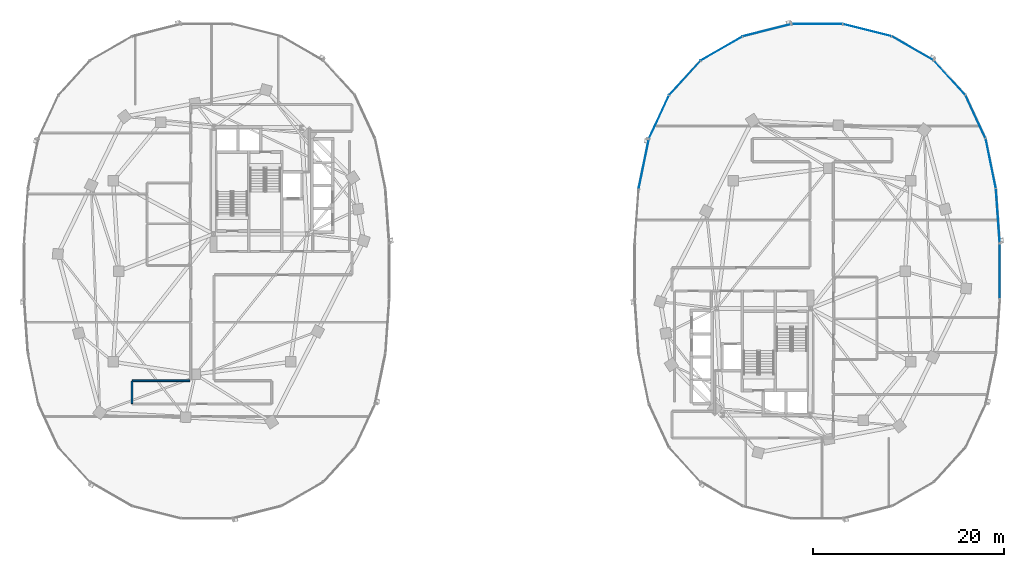
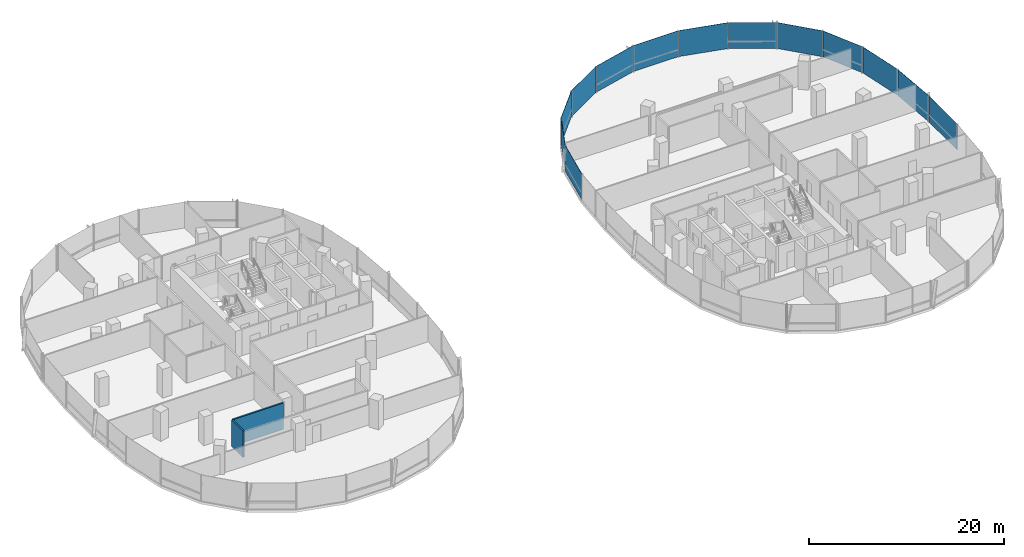
# One storey, part 10 of 21: 13 plates, 2 walls, 3 elements without a shape of their own.
"""IFC4 building model written with IfcOpenShell, lengths in metres."""

from ifc_helpers import new_model, si_unit, direction, frame, frame_2d, origin, origin_2d, place, context, subcontext, project, spatial, rectangle, extrude, material, layer, layer_set, type_object, element, aggregate, save


model = new_model("IFC4")

# Units and contexts
model_context = context("Model", 3, precision=1e-05, world=origin(), true_north=direction((0.0, 1.0)))
body_context = subcontext(model_context, "Body", "Model", "MODEL_VIEW")
ifc_project = project(units=[si_unit("LENGTHUNIT", "METRE"), si_unit("AREAUNIT", "SQUARE_METRE"), si_unit("VOLUMEUNIT", "CUBIC_METRE"), si_unit("PLANEANGLEUNIT", "RADIAN"), si_unit("MASSUNIT", "GRAM", prefix="KILO"), si_unit("THERMODYNAMICTEMPERATUREUNIT", "KELVIN"), si_unit("POWERUNIT", "WATT")], contexts=[model_context])

# Site, building, storey
site_placement = place(None, origin())
site = spatial("IfcSite", under=ifc_project, at=site_placement, CompositionType="ELEMENT")
building_placement = place(site_placement, origin())
building = spatial("IfcBuilding", under=site, at=building_placement, Name="Cundina Bronze Exchange", CompositionType="ELEMENT")
storey_placement = place(building_placement, frame((0.0, 0.0, 121.39990234375)))
storey = spatial("IfcBuildingStorey", under=building, at=storey_placement, Name="L31", CompositionType="ELEMENT", Elevation=121.39990234375)

# Curtain wall, plates
ifc_material_1 = material(Name="Anodised Bronze Aluminium 6063-T6", Category="aluminium")
curtain_wall_type = type_object("IfcCurtainWallType", Name="CWS-TRD-MID", PredefinedType="NOTDEFINED", material=ifc_material_1)
curtain_wall_1_placement = place(storey_placement, origin())
curtain_wall_1 = element("IfcCurtainWall", 1, at=curtain_wall_1_placement, inside=storey, type_object=curtain_wall_type, Name="L31 CW-03 Curtain Wall Run CWR-L31-E1", PredefinedType="NOTDEFINED")
ifc_material_2 = material(Name="Heat-Strengthened Solar-Control Bronze Safety Glass 28mm", Category="glass")
ifc_layer_1 = layer(ifc_material_2, 0.028076171875, Name="Heat-Strengthened Solar-Control Bronze Safety Glass 28mm", Category="glass")
ifc_layer_set_1 = layer_set([ifc_layer_1], Name="Heat-Strengthened Solar-Control Bronze Safety Glass 28mm")
plate_type_1 = type_object("IfcPlateType", Name="PLT-GLZ-VIS28", PredefinedType="CURTAIN_PANEL", material=ifc_layer_set_1)
plate_1_placement = place(storey_placement, frame((50.9267578125, 5.783935546875, 0.02001953125), z_axis=(0.0, 0.0, 1.0), x_axis=(-0.070278787473, 0.997527389113, 0.0)))
plate_1 = element("IfcPlate", 2, at=plate_1_placement, type_object=plate_type_1, Name="CW-03 Glazed Panel 1", PredefinedType="CURTAIN_PANEL", context=body_context, shape_type="SweptSolid", body=[
    extrude(rectangle(XDim=5.644287109375, YDim=0.028076171875, at=origin_2d()), origin(), (0.0, 0.0, 1.0), 3.260009765625),
])
plate_2_placement = place(storey_placement, frame((50.18408203125, 11.269775390625, 0.02001953125), z_axis=(0.0, 0.0, 1.0), x_axis=(-0.201419845156, 0.979505000486, 0.0)))
plate_2 = element("IfcPlate", 3, at=plate_2_placement, type_object=plate_type_1, Name="CW-03 Glazed Panel 2", PredefinedType="CURTAIN_PANEL", context=body_context, shape_type="SweptSolid", body=[
    extrude(rectangle(XDim=5.306640625, YDim=0.028076171875, at=origin_2d()), origin(), (0.0, 0.0, 1.0), 3.260009765625),
])
plate_3_placement = place(storey_placement, frame((48.586181640625, 16.177734375, 0.02001953125), z_axis=(0.0, 0.0, 1.0), x_axis=(-0.42084583328, 0.907132175932, 0.0)))
plate_3 = element("IfcPlate", 4, at=plate_3_placement, type_object=plate_type_1, Name="CW-03 Glazed Panel 3", PredefinedType="CURTAIN_PANEL", context=body_context, shape_type="SweptSolid", body=[
    extrude(rectangle(XDim=4.966552734375, YDim=0.028076171875, at=origin_2d()), origin(), (0.0, 0.0, 1.0), 3.260009765625),
])
plate_4_placement = place(storey_placement, frame((42.019287109375, 23.34423828125, 0.02001953125), z_axis=(0.0, 0.0, 1.0), x_axis=(-0.867105478933, 0.498124571171, 0.0)))
plate_4 = element("IfcPlate", 5, at=plate_4_placement, type_object=plate_type_1, Name="CW-03 Glazed Panel 5", PredefinedType="CURTAIN_PANEL", context=body_context, shape_type="SweptSolid", body=[
    extrude(rectangle(XDim=5.021240234375, YDim=0.028076171875, at=origin_2d()), origin(), (0.0, 0.0, 1.0), 3.260009765625),
])
plate_5_placement = place(storey_placement, frame((37.255615234375, 25.256591796875, 0.02001953125), z_axis=(0.0, 0.0, 1.0), x_axis=(-0.969488149345, 0.245138182011, 0.0)))
plate_5 = element("IfcPlate", 6, at=plate_5_placement, type_object=plate_type_1, Name="CW-03 Glazed Panel 6", PredefinedType="CURTAIN_PANEL", context=body_context, shape_type="SweptSolid", body=[
    extrude(rectangle(XDim=5.2333984375, YDim=0.028076171875, at=origin_2d()), origin(), (0.0, 0.0, 1.0), 3.260009765625),
])
plate_6_placement = place(storey_placement, frame((32.0, 25.905029296875, 0.02001953125), z_axis=(0.0, 0.0, 1.0), x_axis=(-1.0, 0.0, 0.0)))
plate_6 = element("IfcPlate", 7, at=plate_6_placement, type_object=plate_type_1, Name="CW-03 Glazed Panel 7", PredefinedType="CURTAIN_PANEL", context=body_context, shape_type="SweptSolid", body=[
    extrude(rectangle(XDim=5.323974609375, YDim=0.028076171875, at=origin_2d()), origin(), (0.0, 0.0, 1.0), 3.260009765625),
])

curtain_wall_2_placement = place(storey_placement, origin())
curtain_wall_2 = element("IfcCurtainWall", 8, at=curtain_wall_2_placement, inside=storey, type_object=curtain_wall_type, Name="L31 CW-03 Curtain Wall Run CWR-L31-E2", PredefinedType="NOTDEFINED")
plate_7_placement = place(storey_placement, frame((26.744384765625, 25.256591796875, 0.02001953125), z_axis=(0.0, 0.0, 1.0), x_axis=(-0.969488149345, -0.245138182011, 0.0)))
plate_7 = element("IfcPlate", 9, at=plate_7_placement, type_object=plate_type_1, Name="CW-03 Glazed Panel 1", PredefinedType="CURTAIN_PANEL", context=body_context, shape_type="SweptSolid", body=[
    extrude(rectangle(XDim=5.2333984375, YDim=0.028076171875, at=origin_2d()), origin(), (0.0, 0.0, 1.0), 3.260009765625),
])
plate_8_placement = place(storey_placement, frame((21.980712890625, 23.34423828125, 0.02001953125), z_axis=(0.0, 0.0, 1.0), x_axis=(-0.867105478933, -0.498124571171, 0.0)))
plate_8 = element("IfcPlate", 10, at=plate_8_placement, type_object=plate_type_1, Name="CW-03 Glazed Panel 2", PredefinedType="CURTAIN_PANEL", context=body_context, shape_type="SweptSolid", body=[
    extrude(rectangle(XDim=5.021240234375, YDim=0.028076171875, at=origin_2d()), origin(), (0.0, 0.0, 1.0), 3.260009765625),
])
plate_9_placement = place(storey_placement, frame((15.413818359375, 16.177734375, 0.02001953125), z_axis=(0.0, 0.0, 1.0), x_axis=(-0.42084583328, -0.907132175932, 0.0)))
plate_9 = element("IfcPlate", 11, at=plate_9_placement, type_object=plate_type_1, Name="CW-03 Glazed Panel 4", PredefinedType="CURTAIN_PANEL", context=body_context, shape_type="SweptSolid", body=[
    extrude(rectangle(XDim=4.966552734375, YDim=0.028076171875, at=origin_2d()), origin(), (0.0, 0.0, 1.0), 3.260009765625),
])
plate_10_placement = place(storey_placement, frame((13.81591796875, 11.269775390625, 0.02001953125), z_axis=(0.0, 0.0, 1.0), x_axis=(-0.201419845156, -0.979505000486, 0.0)))
plate_10 = element("IfcPlate", 12, at=plate_10_placement, type_object=plate_type_1, Name="CW-03 Glazed Panel 5", PredefinedType="CURTAIN_PANEL", context=body_context, shape_type="SweptSolid", body=[
    extrude(rectangle(XDim=5.306640625, YDim=0.028076171875, at=origin_2d()), origin(), (0.0, 0.0, 1.0), 3.260009765625),
])

# Curtain wall, plate
curtain_wall_3_placement = place(storey_placement, origin())
curtain_wall_3 = element("IfcCurtainWall", 13, at=curtain_wall_3_placement, inside=storey, type_object=curtain_wall_type, Name="L31 CW-03 Curtain Wall Run CWR-L31-E4", PredefinedType="NOTDEFINED")
plate_11_placement = place(storey_placement, frame((51.1279296875, 0.0, 0.02001953125), z_axis=(0.0, 0.0, 1.0), x_axis=(0.0, 1.0, 0.0)))
plate_11 = element("IfcPlate", 14, at=plate_11_placement, type_object=plate_type_1, Name="CW-03 Glazed Panel 7", PredefinedType="CURTAIN_PANEL", context=body_context, shape_type="SweptSolid", body=[
    extrude(rectangle(XDim=5.77587890625, YDim=0.028076171875, at=origin_2d()), origin(), (0.0, 0.0, 1.0), 3.260009765625),
])
aggregate(curtain_wall_3, [plate_11])

# Plate
ifc_material_3 = material(Name="Dark Bronze Spandrel Glass Panel 32mm", Category="glass")
ifc_layer_2 = layer(ifc_material_3, 0.031982421875, Name="Dark Bronze Spandrel Glass Panel 32mm", Category="glass")
ifc_layer_set_2 = layer_set([ifc_layer_2], Name="Dark Bronze Spandrel Glass Panel 32mm")
plate_type_2 = type_object("IfcPlateType", Name="PLT-SPN-BRZ32", PredefinedType="CURTAIN_PANEL", material=ifc_layer_set_2)
plate_12_placement = place(storey_placement, frame((45.8740234375, 20.267333984375, 0.02001953125), z_axis=(0.0, 0.0, 1.0), x_axis=(-0.674276610219, 0.73847887777, 0.0)))
plate_12 = element("IfcPlate", 15, at=plate_12_placement, type_object=plate_type_2, Name="CW-03 Glazed Panel 4", PredefinedType="CURTAIN_PANEL", context=body_context, shape_type="SweptSolid", body=[
    extrude(rectangle(XDim=4.86328125, YDim=0.031982421875, at=origin_2d()), origin(), (0.0, 0.0, 1.0), 3.260009765625),
])

aggregate(curtain_wall_1, [plate_1, plate_2, plate_3, plate_12, plate_4, plate_5, plate_6])

plate_13_placement = place(storey_placement, frame((18.1259765625, 20.267333984375, 0.02001953125), z_axis=(0.0, 0.0, 1.0), x_axis=(-0.674276610219, -0.73847887777, 0.0)))
plate_13 = element("IfcPlate", 16, at=plate_13_placement, type_object=plate_type_2, Name="CW-03 Glazed Panel 3", PredefinedType="CURTAIN_PANEL", context=body_context, shape_type="SweptSolid", body=[
    extrude(rectangle(XDim=4.86328125, YDim=0.031982421875, at=origin_2d()), origin(), (0.0, 0.0, 1.0), 3.260009765625),
])

aggregate(curtain_wall_2, [plate_7, plate_8, plate_13, plate_9, plate_10])

# Walls
ifc_material_4 = material(Name="Gypsum Fireboard Partition EI120")
ifc_layer_3 = layer(ifc_material_4, 0.179931640625, Name="Gypsum Fireboard Partition EI120")
ifc_layer_set_3 = layer_set([ifc_layer_3], Name="Gypsum Fireboard Partition EI120")
wall_type = type_object("IfcWallType", Name="WL-COR-180", PredefinedType="PARTITIONING", material=ifc_layer_set_3)
wall_1_placement = place(storey_placement, frame((-33.75, -11.47998046875, 0.0), z_axis=(0.0, 0.0, 1.0), x_axis=(-1.0, 0.0, 0.0)))
element("IfcWall", 17, at=wall_1_placement, inside=storey, type_object=wall_type, Name="L31 Interior Partition 022", PredefinedType="PARTITIONING", context=body_context, shape_type="SweptSolid", body=[
    extrude(rectangle(XDim=6.028564453125, YDim=0.179931640625, at=frame_2d((3.01416015625, 0.0))), origin(), (0.0, 0.0, 1.0), 3.300048828125),
])
wall_2_placement = place(storey_placement, frame((-39.820068359375, -11.521484375, 0.0), z_axis=(0.0, 0.0, 1.0), x_axis=(0.0, -1.0, 0.0)))
element("IfcWall", 18, at=wall_2_placement, inside=storey, type_object=wall_type, Name="L31 Interior Partition 026", PredefinedType="PARTITIONING", context=body_context, shape_type="SweptSolid", body=[
    extrude(rectangle(XDim=2.35693359375, YDim=0.179931640625, at=frame_2d((1.178466796875, 0.0))), origin(), (0.0, 0.0, 1.0), 3.300048828125),
])

save(model, "model.ifc")
